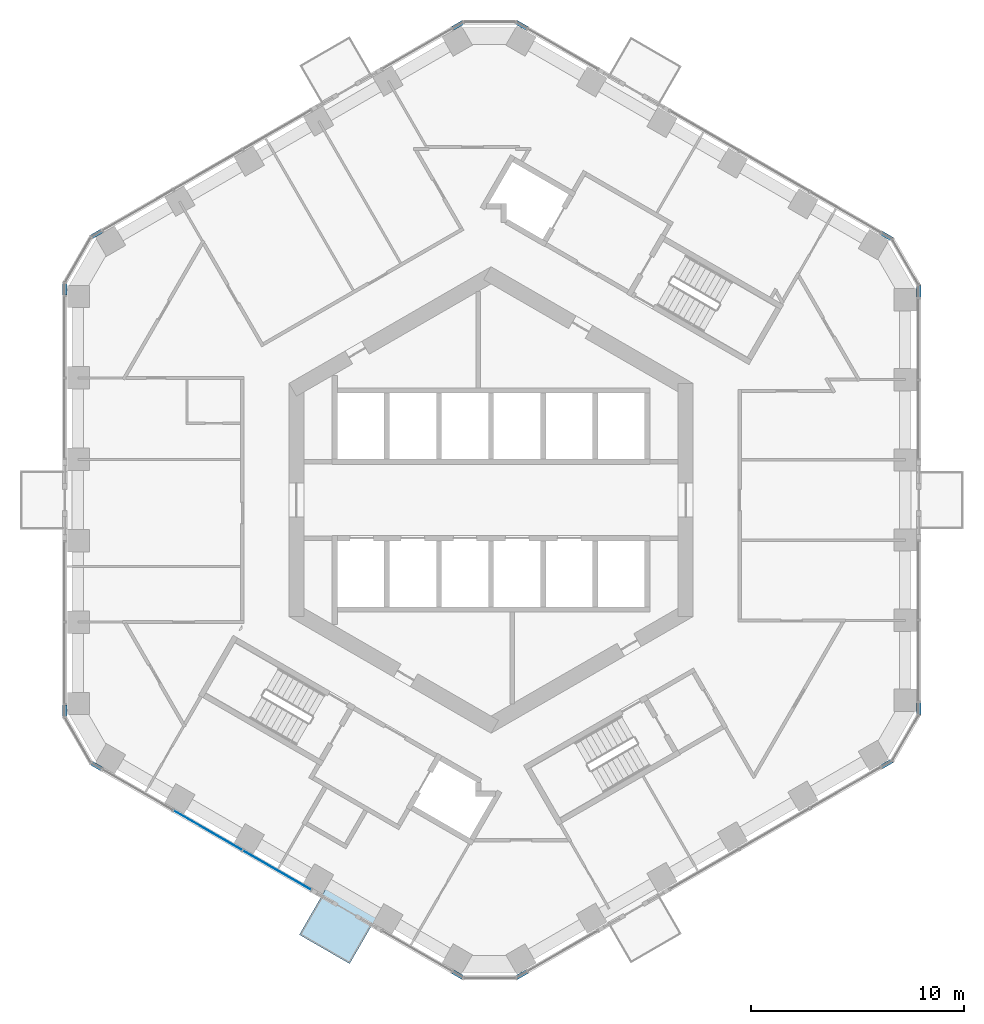
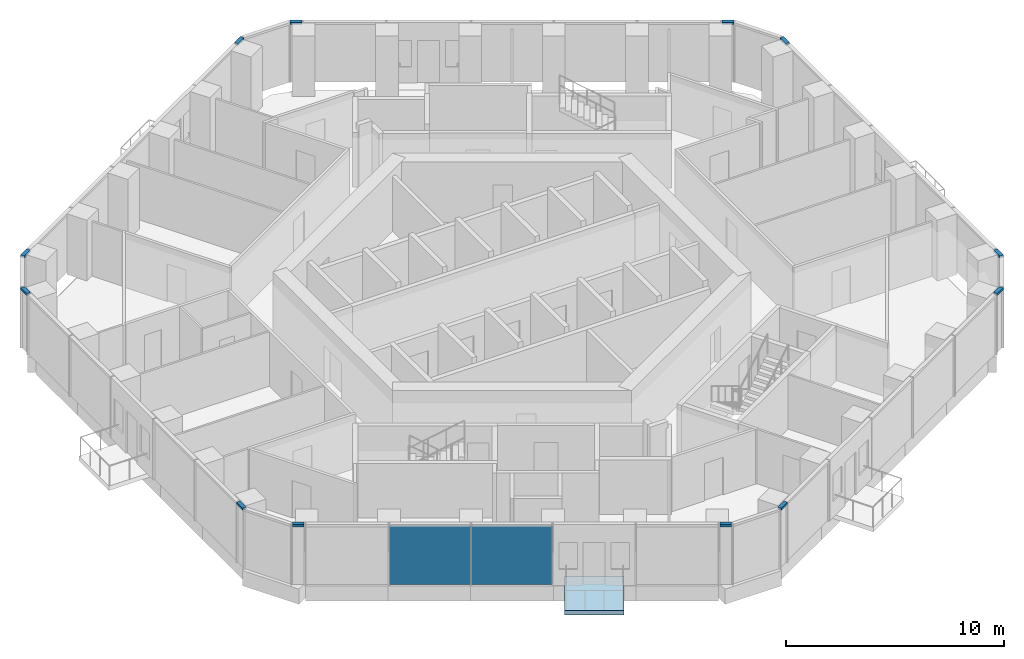
# One storey, part 8 of 20: 12 members, 2 plates, 1 slab, 7 elements without a shape of their own.
"""IFC4 building model written with IfcOpenShell, lengths in metres."""

from ifc_helpers import new_model, si_unit, direction, frame, origin, origin_2d, place, context, subcontext, project, spatial, polyline, rectangle, outline, extrude, material, layer, layer_set, material_profile, profile_set, type_object, element, aggregate, save


model = new_model("IFC4")

# Units and contexts
model_context = context("Model", 3, precision=1e-05, world=origin(), true_north=direction((0.0, 1.0)))
body_context = subcontext(model_context, "Body", "Model", "MODEL_VIEW")
ifc_project = project(units=[si_unit("LENGTHUNIT", "METRE"), si_unit("AREAUNIT", "SQUARE_METRE"), si_unit("VOLUMEUNIT", "CUBIC_METRE"), si_unit("PLANEANGLEUNIT", "RADIAN"), si_unit("MASSUNIT", "GRAM", prefix="KILO")], contexts=[model_context])

# Site, building, storey
site_placement = place(None, origin())
site = spatial("IfcSite", under=ifc_project, at=site_placement, CompositionType="ELEMENT")
building_placement = place(site_placement, origin())
building = spatial("IfcBuilding", under=site, at=building_placement, Name="Ayvan Gate Tower", CompositionType="ELEMENT")
storey_placement = place(building_placement, frame((0.0, 0.0, 86.5)))
storey = spatial("IfcBuildingStorey", under=building, at=storey_placement, Name="L22", CompositionType="ELEMENT", Elevation=86.5)

# Curtain wall, members
ifc_material_1 = material(Name="Bronze anodised aluminium", Category="aluminium")
ifc_layer_1 = layer(ifc_material_1, 0.199951171875)
ifc_layer_set_1 = layer_set([ifc_layer_1], Name="Bronze anodised aluminium")
curtain_wall_type_1 = type_object("IfcCurtainWallType", Name="Stick curtain wall CW-6", PredefinedType="NOTDEFINED", material=ifc_layer_set_1)
curtain_wall_1_placement = place(storey_placement, origin())
curtain_wall_1 = element("IfcCurtainWall", 1, at=curtain_wall_1_placement, inside=storey, type_object=curtain_wall_type_1, Name="Stick curtain wall CW-6 L22", PredefinedType="NOTDEFINED")
ifc_material_profile = material_profile(ifc_material_1, rectangle(XDim=0.199951171875, YDim=0.1201171875, at=origin_2d()), Name="Stick curtain wall CW-6 transom 200 x 120")
ifc_profile_set = profile_set([ifc_material_profile], Name="Bronze anodised aluminium")
member_type = type_object("IfcMemberType", Name="Stick curtain wall CW-6 transom 200 x 120", PredefinedType="USERDEFINED", material=ifc_profile_set)
member_1_placement = place(storey_placement, frame((-18.31005859375, 12.650390625, 3.340087890625), z_axis=(-0.866104278045, -0.499863360881, 0.0), x_axis=(0.499863360881, -0.866104278045, 0.0)))
member_1 = element("IfcMember", 2, at=member_1_placement, type_object=member_type, Name="CW-6 transom 1", ObjectType="TRANSOM", PredefinedType="USERDEFINED", context=body_context, shape_type="SweptSolid", body=[
    extrude(rectangle(XDim=0.199951171875, YDim=0.1201171875, at=origin_2d()), origin(), (0.0, 0.0, 1.0), 0.550048828125),
])
member_2_placement = place(storey_placement, frame((-20.05126953125, 10.1845703125, 3.340087890625), z_axis=(0.0, -1.0, 0.0), x_axis=(1.0, 0.0, 0.0)))
member_2 = element("IfcMember", 3, at=member_2_placement, type_object=member_type, Name="CW-6 transom 3", ObjectType="TRANSOM", PredefinedType="USERDEFINED", context=body_context, shape_type="SweptSolid", body=[
    extrude(rectangle(XDim=0.199951171875, YDim=0.1201171875, at=origin_2d()), origin(), (0.0, 0.0, 1.0), 0.550048828125),
])
aggregate(curtain_wall_1, [member_1, member_2])

curtain_wall_2_placement = place(storey_placement, origin())
curtain_wall_2 = element("IfcCurtainWall", 4, at=curtain_wall_2_placement, inside=storey, type_object=curtain_wall_type_1, Name="Stick curtain wall CW-6 L22", PredefinedType="NOTDEFINED")
member_3_placement = place(storey_placement, frame((-20.05126953125, -9.634521484375, 3.340087890625), z_axis=(0.0, -1.0, 0.0), x_axis=(1.0, 0.0, 0.0)))
member_3 = element("IfcMember", 5, at=member_3_placement, type_object=member_type, Name="CW-6 transom 1", ObjectType="TRANSOM", PredefinedType="USERDEFINED", context=body_context, shape_type="SweptSolid", body=[
    extrude(rectangle(XDim=0.199951171875, YDim=0.1201171875, at=origin_2d()), origin(), (0.0, 0.0, 1.0), 0.550048828125),
])
member_4_placement = place(storey_placement, frame((-18.786376953125, -12.37548828125, 3.340087890625), z_axis=(0.866104278045, -0.499863360881, 0.0), x_axis=(0.499863360881, 0.866104278045, 0.0)))
member_4 = element("IfcMember", 6, at=member_4_placement, type_object=member_type, Name="CW-6 transom 3", ObjectType="TRANSOM", PredefinedType="USERDEFINED", context=body_context, shape_type="SweptSolid", body=[
    extrude(rectangle(XDim=0.199951171875, YDim=0.1201171875, at=origin_2d()), origin(), (0.0, 0.0, 1.0), 0.550048828125),
])
aggregate(curtain_wall_2, [member_3, member_4])

curtain_wall_3_placement = place(storey_placement, origin())
curtain_wall_3 = element("IfcCurtainWall", 7, at=curtain_wall_3_placement, inside=storey, type_object=curtain_wall_type_1, Name="Stick curtain wall CW-6 L22", PredefinedType="NOTDEFINED")
member_5_placement = place(storey_placement, frame((-1.800537109375, -22.18212890625, 3.340087890625), z_axis=(0.866104278045, -0.499863360881, 0.0), x_axis=(0.499863360881, 0.866104278045, 0.0)))
member_5 = element("IfcMember", 8, at=member_5_placement, type_object=member_type, Name="CW-6 transom 1", ObjectType="TRANSOM", PredefinedType="USERDEFINED", context=body_context, shape_type="SweptSolid", body=[
    extrude(rectangle(XDim=0.199951171875, YDim=0.1201171875, at=origin_2d()), origin(), (0.0, 0.0, 1.0), 0.550048828125),
])
member_6_placement = place(storey_placement, frame((1.20556640625, -22.45703125, 3.340087890625), z_axis=(0.866104278045, 0.499863360881, 0.0), x_axis=(-0.499863360881, 0.866104278045, 0.0)))
member_6 = element("IfcMember", 9, at=member_6_placement, type_object=member_type, Name="CW-6 transom 3", ObjectType="TRANSOM", PredefinedType="USERDEFINED", context=body_context, shape_type="SweptSolid", body=[
    extrude(rectangle(XDim=0.199951171875, YDim=0.1201171875, at=origin_2d()), origin(), (0.0, 0.0, 1.0), 0.550048828125),
])
aggregate(curtain_wall_3, [member_5, member_6])

curtain_wall_4_placement = place(storey_placement, origin())
curtain_wall_4 = element("IfcCurtainWall", 10, at=curtain_wall_4_placement, inside=storey, type_object=curtain_wall_type_1, Name="Stick curtain wall CW-6 L22", PredefinedType="NOTDEFINED")
member_7_placement = place(storey_placement, frame((18.369384765625, -12.547607421875, 3.340087890625), z_axis=(0.866104278045, 0.499863360881, 0.0), x_axis=(-0.499863360881, 0.866104278045, 0.0)))
member_7 = element("IfcMember", 11, at=member_7_placement, type_object=member_type, Name="CW-6 transom 1", ObjectType="TRANSOM", PredefinedType="USERDEFINED", context=body_context, shape_type="SweptSolid", body=[
    extrude(rectangle(XDim=0.199951171875, YDim=0.1201171875, at=origin_2d()), origin(), (0.0, 0.0, 1.0), 0.550048828125),
])
member_8_placement = place(storey_placement, frame((20.110595703125, -10.081787109375, 3.340087890625), z_axis=(0.0, 1.0, 0.0), x_axis=(-1.0, 0.0, 0.0)))
member_8 = element("IfcMember", 12, at=member_8_placement, type_object=member_type, Name="CW-6 transom 3", ObjectType="TRANSOM", PredefinedType="USERDEFINED", context=body_context, shape_type="SweptSolid", body=[
    extrude(rectangle(XDim=0.199951171875, YDim=0.1201171875, at=origin_2d()), origin(), (0.0, 0.0, 1.0), 0.550048828125),
])
aggregate(curtain_wall_4, [member_7, member_8])

curtain_wall_5_placement = place(storey_placement, origin())
curtain_wall_5 = element("IfcCurtainWall", 13, at=curtain_wall_5_placement, inside=storey, type_object=curtain_wall_type_1, Name="Stick curtain wall CW-6 L22", PredefinedType="NOTDEFINED")
member_9_placement = place(storey_placement, frame((20.110595703125, 9.53173828125, 3.340087890625), z_axis=(0.0, 1.0, 0.0), x_axis=(-1.0, 0.0, 0.0)))
member_9 = element("IfcMember", 14, at=member_9_placement, type_object=member_type, Name="CW-6 transom 1", ObjectType="TRANSOM", PredefinedType="USERDEFINED", context=body_context, shape_type="SweptSolid", body=[
    extrude(rectangle(XDim=0.199951171875, YDim=0.1201171875, at=origin_2d()), origin(), (0.0, 0.0, 1.0), 0.550048828125),
])
member_10_placement = place(storey_placement, frame((18.845703125, 12.272705078125, 3.340087890625), z_axis=(-0.866104278045, 0.499863360881, 0.0), x_axis=(-0.499863360881, -0.866104278045, 0.0)))
member_10 = element("IfcMember", 15, at=member_10_placement, type_object=member_type, Name="CW-6 transom 3", ObjectType="TRANSOM", PredefinedType="USERDEFINED", context=body_context, shape_type="SweptSolid", body=[
    extrude(rectangle(XDim=0.199951171875, YDim=0.1201171875, at=origin_2d()), origin(), (0.0, 0.0, 1.0), 0.550048828125),
])
aggregate(curtain_wall_5, [member_9, member_10])

curtain_wall_6_placement = place(storey_placement, origin())
curtain_wall_6 = element("IfcCurtainWall", 16, at=curtain_wall_6_placement, inside=storey, type_object=curtain_wall_type_1, Name="Stick curtain wall CW-6 L22", PredefinedType="NOTDEFINED")
member_11_placement = place(storey_placement, frame((1.681884765625, 22.18212890625, 3.340087890625), z_axis=(-0.866104278045, 0.499863360881, 0.0), x_axis=(-0.499863360881, -0.866104278045, 0.0)))
member_11 = element("IfcMember", 17, at=member_11_placement, type_object=member_type, Name="CW-6 transom 1", ObjectType="TRANSOM", PredefinedType="USERDEFINED", context=body_context, shape_type="SweptSolid", body=[
    extrude(rectangle(XDim=0.199951171875, YDim=0.1201171875, at=origin_2d()), origin(), (0.0, 0.0, 1.0), 0.550048828125),
])
member_12_placement = place(storey_placement, frame((-1.32421875, 22.45703125, 3.340087890625), z_axis=(-0.866104278045, -0.499863360881, 0.0), x_axis=(0.499863360881, -0.866104278045, 0.0)))
member_12 = element("IfcMember", 18, at=member_12_placement, type_object=member_type, Name="CW-6 transom 3", ObjectType="TRANSOM", PredefinedType="USERDEFINED", context=body_context, shape_type="SweptSolid", body=[
    extrude(rectangle(XDim=0.199951171875, YDim=0.1201171875, at=origin_2d()), origin(), (0.0, 0.0, 1.0), 0.550048828125),
])
aggregate(curtain_wall_6, [member_11, member_12])

# Slab
ifc_material_2 = material(Name="Concrete C40/50", Category="concrete")
ifc_layer_2 = layer(ifc_material_2, 0.25)
ifc_layer_set_2 = layer_set([ifc_layer_2], Name="Concrete C40/50")
slab_type = type_object("IfcSlabType", Name="Balcony slab 250", PredefinedType="FLOOR", material=ifc_layer_set_2)
slab_placement = place(storey_placement, frame((0.0, 0.0, -0.25)))
element("IfcSlab", 19, at=slab_placement, inside=storey, type_object=slab_type, Name="Balcony slab BAL-L22-4", PredefinedType="FLOOR", context=body_context, shape_type="SweptSolid", body=[
    extrude(outline(polyline([(-7.6513671875, -18.08251953125), (-5.287353515625, -19.447265625), (-6.64990234375, -21.80712890625), (-9.013916015625, -20.4423828125), (-7.6513671875, -18.08251953125)])), origin(), (0.0, 0.0, 1.0), 0.25),
])

# Curtain wall, plates
ifc_layer_3 = layer(ifc_material_1, 0.199951171875)
ifc_layer_set_3 = layer_set([ifc_layer_3], Name="Bronze anodised aluminium")
curtain_wall_type_2 = type_object("IfcCurtainWallType", Name="Stick curtain wall CW-1", PredefinedType="NOTDEFINED", material=ifc_layer_set_3)
curtain_wall_7_placement = place(storey_placement, origin())
curtain_wall_7 = element("IfcCurtainWall", 20, at=curtain_wall_7_placement, inside=storey, type_object=curtain_wall_type_2, Name="Stick curtain wall CW-1 L22", PredefinedType="NOTDEFINED")
ifc_material_3 = material(Name="Clear low-iron laminated glass", Category="glass")
ifc_layer_4 = layer(ifc_material_3, 0.028076171875)
ifc_layer_set_4 = layer_set([ifc_layer_4], Name="Clear low-iron laminated glass")
plate_type = type_object("IfcPlateType", Name="Stick curtain wall CW-1 glass panel", PredefinedType="CURTAIN_PANEL", material=ifc_layer_set_4)
plate_1_placement = place(storey_placement, frame((-13.31640625, -15.533447265625, 0.0), z_axis=(0.0, 0.0, 1.0), x_axis=(0.866025403784, -0.5, 0.0)))
plate_1 = element("IfcPlate", 21, at=plate_1_placement, type_object=plate_type, Name="CW-1 glass panel 2", PredefinedType="CURTAIN_PANEL", context=body_context, shape_type="SweptSolid", body=[
    extrude(rectangle(XDim=3.7060546875, YDim=0.028076171875, at=origin_2d()), origin(), (0.0, 0.0, 1.0), 3.280029296875),
])
plate_2_placement = place(storey_placement, frame((-10.054931640625, -17.41650390625, 0.0), z_axis=(0.0, 0.0, 1.0), x_axis=(0.866025403784, -0.5, 0.0)))
plate_2 = element("IfcPlate", 22, at=plate_2_placement, type_object=plate_type, Name="CW-1 glass panel 3", PredefinedType="CURTAIN_PANEL", context=body_context, shape_type="SweptSolid", body=[
    extrude(rectangle(XDim=3.7060546875, YDim=0.028076171875, at=origin_2d()), origin(), (0.0, 0.0, 1.0), 3.280029296875),
])
aggregate(curtain_wall_7, [plate_1, plate_2])

save(model, "model.ifc")
